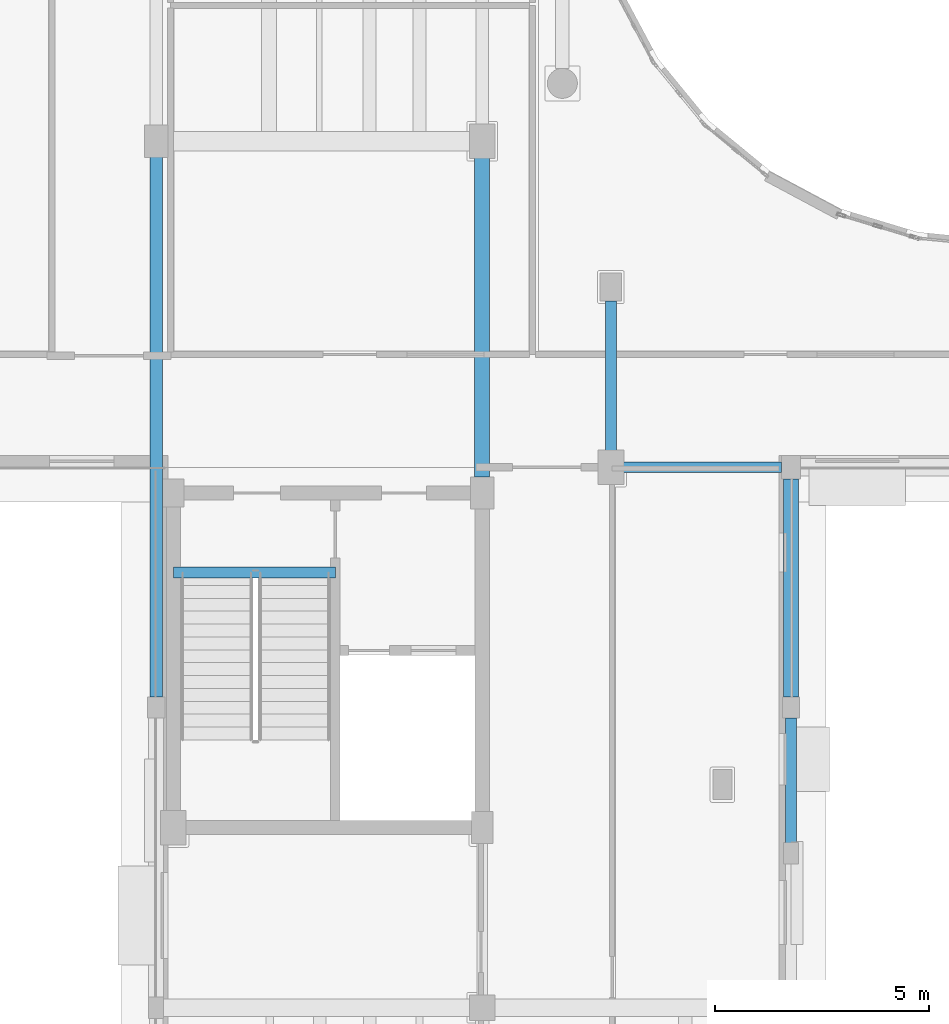
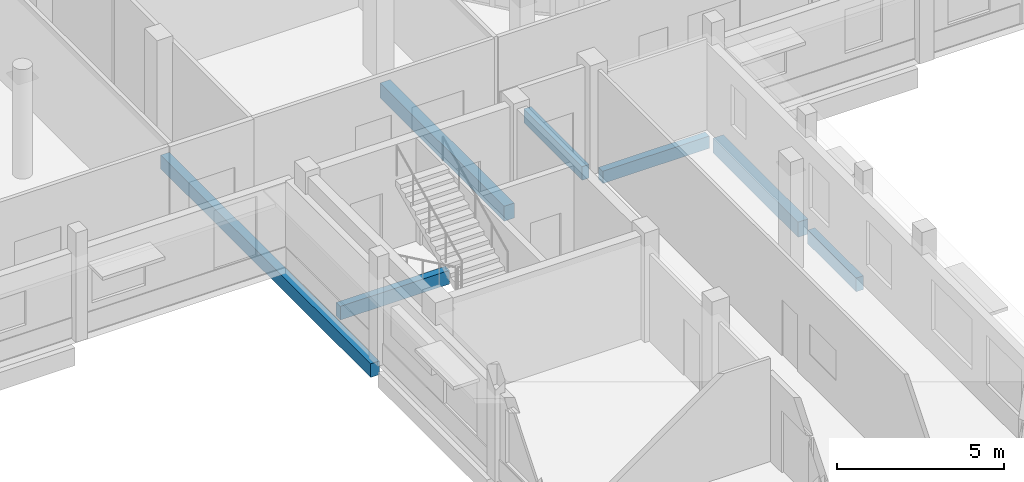
# One storey, part 29 of 105: 7 beams.
"""IFC4 building model written with IfcOpenShell, lengths in metres."""

import ifcopenshell
import ifcopenshell.guid

model = None  # the IFC model being written
_history = None  # IfcOwnerHistory: only IFC2X3 demands one
_inside = {}  # id of a spatial element -> (the spatial element, [elements in it])
_under = {}  # id of a project, library or spatial element -> (it, [spatial elements below it])
_declared = {}  # id of a project -> (the project, [libraries it declares])
_typed = {}  # id of a type object -> (the type object, [elements of that type])
_made_of = {}  # id of a material, layer set ... -> (it, [elements and type objects made of it])


def new_model(schema):
    """Start an empty IFC model of exactly this schema.

    Asked for "IFC4X3", IfcOpenShell would pick the latest addendum, in which some entities
    have other attributes; the version numbers below select the first issue.
    IFC2X3 requires an IfcOwnerHistory on every rooted entity: one is made here for all.
    """
    global model, _history
    if schema == "IFC4X3":
        model = ifcopenshell.file(schema_version=(4, 3, 0, 0))
    else:
        model = ifcopenshell.file(schema=schema)
    _inside.clear()
    _under.clear()
    _declared.clear()
    _typed.clear()
    _made_of.clear()
    _history = None
    if model.schema == "IFC2X3":
        org = make("IfcOrganization", Name="unknown")
        user = make(
            "IfcPersonAndOrganization",
            ThePerson=make("IfcPerson", FamilyName="unknown"),
            TheOrganization=org,
        )
        app = make(
            "IfcApplication",
            ApplicationDeveloper=org,
            Version="unknown",
            ApplicationFullName="unknown",
            ApplicationIdentifier="unknown",
        )
        _history = make(
            "IfcOwnerHistory",
            OwningUser=user,
            OwningApplication=app,
            ChangeAction="ADDED",
            CreationDate=0,
        )
    return model


def make(cls, **values):
    """One entity of the class cls with the attributes given. An attribute that is None is left unset."""
    return model.create_entity(
        cls, **{name: value for name, value in values.items() if value is not None}
    )


def rooted(cls, **values):
    """An entity with a GlobalId (a new one), such as an element, a storey or a relation."""
    return make(cls, GlobalId=ifcopenshell.guid.new(), OwnerHistory=_history, **values)


def si_unit(unit_type, name, prefix=None):
    """IfcSIUnit, for example si_unit("LENGTHUNIT", "METRE", prefix="MILLI")."""
    return make("IfcSIUnit", UnitType=unit_type, Prefix=prefix, Name=name)


def assignment(units):
    """IfcUnitAssignment: the units of a project."""
    return None if units is None else make("IfcUnitAssignment", Units=units)


def point(xyz):
    """IfcCartesianPoint."""
    return None if xyz is None else make("IfcCartesianPoint", Coordinates=xyz)


def direction(xyz):
    """IfcDirection."""
    return None if xyz is None else make("IfcDirection", DirectionRatios=xyz)


def frame(location, z_axis=None, x_axis=None):
    """IfcAxis2Placement3D, a coordinate frame: its origin and axes. An axis left out is left unset."""
    return make(
        "IfcAxis2Placement3D",
        Location=point(location),
        Axis=direction(z_axis),
        RefDirection=direction(x_axis),
    )


def frame_2d(location, x_axis=None):
    """IfcAxis2Placement2D, a coordinate frame in the plane: its origin and x axis."""
    return make(
        "IfcAxis2Placement2D", Location=point(location), RefDirection=direction(x_axis)
    )


def origin():
    """The frame at (0, 0, 0) with its axes left unset."""
    return frame((0.0, 0.0, 0.0))


def origin_2d():
    """The frame at (0, 0) in the plane with its x axis left unset."""
    return frame_2d((0.0, 0.0))


def place(relative_to, where):
    """IfcLocalPlacement: puts the frame where relative to a parent placement (None: the world)."""
    return make(
        "IfcLocalPlacement", PlacementRelTo=relative_to, RelativePlacement=where
    )


def context(
    kind, dimensions, precision=None, world=None, true_north=None, identifier=None
):
    """IfcGeometricRepresentationContext, for example the 3D "Model" context."""
    return make(
        "IfcGeometricRepresentationContext",
        ContextIdentifier=identifier,
        ContextType=kind,
        CoordinateSpaceDimension=dimensions,
        Precision=precision,
        WorldCoordinateSystem=world,
        TrueNorth=true_north,
    )


def subcontext(parent, identifier, kind, view, scale=None):
    """IfcGeometricRepresentationSubContext, for example "Body" below "Model"."""
    return make(
        "IfcGeometricRepresentationSubContext",
        ContextIdentifier=identifier,
        ContextType=kind,
        ParentContext=parent,
        TargetScale=scale,
        TargetView=view,
    )


def project(units=None, contexts=None):
    """IfcProject with its units and contexts."""
    return rooted(
        "IfcProject",
        Name="project",
        RepresentationContexts=contexts,
        UnitsInContext=assignment(units),
    )


def spatial(cls, under=None, at=None, **own):
    """A site, building, storey or space (cls), placed at a placement, below another one or the project."""
    s = rooted(cls, ObjectPlacement=at, **own)
    if under is not None:
        _under.setdefault(under.id(), (under, []))[1].append(s)
    return s


def profile(cls, at=None, kind="AREA", **sizes):
    """A parametric profile (cls). Its sizes go by their IFC names, for example OverallWidth=200.0."""
    return make(cls, ProfileType=kind, Position=at, **sizes)


def rectangle(**sizes):
    """IfcRectangleProfileDef."""
    return profile("IfcRectangleProfileDef", **sizes)


def extrude(swept, where, along, depth):
    """IfcExtrudedAreaSolid: the profile swept, set in the frame where, extruded along a direction by depth."""
    return make(
        "IfcExtrudedAreaSolid",
        SweptArea=swept,
        Position=where,
        ExtrudedDirection=direction(along),
        Depth=depth,
    )


def shape(context_of_items, identifier, shape_type, items):
    """IfcShapeRepresentation: the items that make up one representation, for example the "Body"."""
    return make(
        "IfcShapeRepresentation",
        ContextOfItems=context_of_items,
        RepresentationIdentifier=identifier,
        RepresentationType=shape_type,
        Items=items,
    )


def material(Name=None, Category=None):
    """IfcMaterial."""
    return make("IfcMaterial", Name=Name, Category=Category)


def material_profile(
    of_material, cross_section, Name=None, Category=None, Priority=None
):
    """IfcMaterialProfile: a cross section and its material."""
    return make(
        "IfcMaterialProfile",
        Name=Name,
        Material=of_material,
        Profile=cross_section,
        Priority=Priority,
        Category=Category,
    )


def profile_set(profiles, Name=None, composite=None):
    """IfcMaterialProfileSet."""
    return make(
        "IfcMaterialProfileSet",
        Name=Name,
        MaterialProfiles=profiles,
        CompositeProfile=composite,
    )


def made_of(thing, what):
    """Note that an element or type object is made of a material, layer set ...; save() writes the relation."""
    if what is not None:
        _made_of.setdefault(what.id(), (what, []))[1].append(thing)
    return thing


def type_object(cls, material=None, **own):
    """A type object (cls), such as IfcWallType, which elements share."""
    return made_of(rooted(cls, **own), material)


def element(
    cls,
    number,
    at=None,
    inside=None,
    cuts=None,
    type_object=None,
    material=None,
    context=None,
    identifier="Body",
    shape_type=None,
    held_by="IfcProductDefinitionShape",
    body=None,
    shapes=None,
    **own,
):
    """One element of the class cls, such as IfcWall. Its Tag is "e" and its number.

    at: its placement. inside: the storey or other place that contains it. cuts: it is an
    opening in that element (IfcRelVoidsElement). A single representation is given by context,
    identifier, shape_type and body (its items); several are given by shapes. held_by: the class
    of the entity that holds the representations. save() writes the other relations.
    """
    e = rooted(cls, Tag="e%d" % number, ObjectPlacement=at, **own)
    if body is not None:
        shapes = [shape(context, identifier, shape_type, body)]
    if shapes is not None:
        e.Representation = make(held_by, Representations=shapes)
    if inside is not None:
        _inside.setdefault(inside.id(), (inside, []))[1].append(e)
    if cuts is not None:
        rooted(
            "IfcRelVoidsElement", RelatingBuildingElement=cuts, RelatedOpeningElement=e
        )
    if type_object is not None:
        _typed.setdefault(type_object.id(), (type_object, []))[1].append(e)
    return made_of(e, material)


def aggregate(whole, parts):
    """IfcRelAggregates: a whole, such as a stair, and the parts it consists of."""
    return rooted("IfcRelAggregates", RelatingObject=whole, RelatedObjects=parts)


def save(model, path):
    """Write the relations noted so far, then the file.

    IfcRelAggregates (storeys below a building ...), IfcRelContainedInSpatialStructure (elements
    in a storey), IfcRelDefinesByType, IfcRelAssociatesMaterial and IfcRelDeclares: one each for
    every whole, place, type object, material and project.
    """
    for whole, parts in _under.values():
        aggregate(whole, parts)
    for where, things in _inside.values():
        rooted(
            "IfcRelContainedInSpatialStructure",
            RelatedElements=things,
            RelatingStructure=where,
        )
    for kind, things in _typed.values():
        rooted("IfcRelDefinesByType", RelatedObjects=things, RelatingType=kind)
    for what, things in _made_of.values():
        rooted("IfcRelAssociatesMaterial", RelatedObjects=things, RelatingMaterial=what)
    for by, libraries in _declared.values():
        rooted("IfcRelDeclares", RelatingContext=by, RelatedDefinitions=libraries)
    model.write(path)


model = new_model("IFC4")

# Units and contexts
model_context = context("Model", 3, precision=1e-05, world=origin(), true_north=direction((0.0, 1.0)))
body_context = subcontext(model_context, "Body", "Model", "MODEL_VIEW")
ifc_project = project(units=[si_unit("LENGTHUNIT", "METRE"), si_unit("AREAUNIT", "SQUARE_METRE"), si_unit("VOLUMEUNIT", "CUBIC_METRE"), si_unit("PLANEANGLEUNIT", "RADIAN"), si_unit("MASSUNIT", "GRAM", prefix="KILO")], contexts=[model_context])

# Site, building, storey
site_placement = place(None, origin())
site = spatial("IfcSite", under=ifc_project, at=site_placement, CompositionType="ELEMENT")
building_placement = place(site_placement, origin())
building = spatial("IfcBuilding", under=site, at=building_placement, Name="Kelanivale Promenade Academy", CompositionType="ELEMENT")
storey_placement = place(building_placement, frame((0.0, 0.0, 4.199951171875)))
storey = spatial("IfcBuildingStorey", under=building, at=storey_placement, Name="L01", CompositionType="ELEMENT", Elevation=4.199951171875)

# Beams
ifc_material = material(Name="Concrete C35/45", Category="concrete")
ifc_material_profile_1 = material_profile(ifc_material, rectangle(XDim=0.300048828125, YDim=0.5, at=origin_2d()), Name="RC-BM 300x500")
ifc_profile_set_1 = profile_set([ifc_material_profile_1], Name="Concrete C35/45")
beam_type_1 = type_object("IfcBeamType", Name="JS-01 RC-BM 300x500", PredefinedType="JOIST", material=ifc_profile_set_1)
beam_1_placement = place(storey_placement, frame((79.199951171875, 36.64501953125, -0.469970703125), z_axis=(0.0, 1.0, 0.0), x_axis=(-1.0, 0.0, 0.0)))
element("IfcBeam", 1, at=beam_1_placement, inside=storey, type_object=beam_type_1, Name="L01 beam JS-01", PredefinedType="JOIST", context=body_context, shape_type="SweptSolid", body=[
    extrude(rectangle(XDim=0.300048828125, YDim=0.5, at=origin_2d()), origin(), (0.0, 0.0, 1.0), 12.5849609375),
])
ifc_material_profile_2 = material_profile(ifc_material, rectangle(XDim=0.35009765625, YDim=0.550048828125, at=origin_2d()), Name="RC-BM 350x550")
ifc_profile_set_2 = profile_set([ifc_material_profile_2], Name="Concrete C35/45")
beam_type_2 = type_object("IfcBeamType", Name="JS-06 RC-BM 350x550", PredefinedType="JOIST", material=ifc_profile_set_2)
beam_2_placement = place(storey_placement, frame((86.800048828125, 41.77001953125, -0.494873046875), z_axis=(0.0, 1.0, 0.0), x_axis=(-1.0, 0.0, 0.0)))
element("IfcBeam", 2, at=beam_2_placement, inside=storey, type_object=beam_type_2, Name="L01 beam JS-06", PredefinedType="JOIST", context=body_context, shape_type="SweptSolid", body=[
    extrude(rectangle(XDim=0.35009765625, YDim=0.550048828125, at=origin_2d()), origin(), (0.0, 0.0, 1.0), 7.43505859375),
])
beam_3_placement = place(storey_placement, frame((94.0, 36.64501953125, -0.494873046875), z_axis=(0.0, 1.0, 0.0), x_axis=(-1.0, 0.0, 0.0)))
element("IfcBeam", 3, at=beam_3_placement, inside=storey, type_object=beam_type_2, Name="L01 beam JS-06", PredefinedType="JOIST", context=body_context, shape_type="SweptSolid", body=[
    extrude(rectangle(XDim=0.35009765625, YDim=0.550048828125, at=origin_2d()), origin(), (0.0, 0.0, 1.0), 5.0849609375),
])
ifc_material_profile_3 = material_profile(ifc_material, rectangle(XDim=0.25, YDim=0.449951171875, at=origin_2d()), Name="RC-BM 250x450")
ifc_profile_set_3 = profile_set([ifc_material_profile_3], Name="Concrete C35/45")
beam_type_3 = type_object("IfcBeamType", Name="LN-01 RC-BM 250x450", PredefinedType="LINTEL", material=ifc_profile_set_3)
beam_4_placement = place(storey_placement, frame((90.094970703125, 42.0, -0.445068359375), z_axis=(1.0, 0.0, 0.0), x_axis=(0.0, 1.0, 0.0)))
element("IfcBeam", 4, at=beam_4_placement, inside=storey, type_object=beam_type_3, Name="L01 girder LN-01", PredefinedType="LINTEL", context=body_context, shape_type="SweptSolid", body=[
    extrude(rectangle(XDim=0.25, YDim=0.449951171875, at=origin_2d()), origin(), (0.0, 0.0, 1.0), 3.68505859375),
])
ifc_material_profile_4 = material_profile(ifc_material, rectangle(XDim=0.25, YDim=0.5, at=origin_2d()), Name="RC-BM 250x500")
ifc_profile_set_4 = profile_set([ifc_material_profile_4], Name="Concrete C35/45")
beam_type_4 = type_object("IfcBeamType", Name="LN-02 RC-BM 250x500", PredefinedType="LINTEL", material=ifc_profile_set_4)
beam_5_placement = place(storey_placement, frame((89.800048828125, 42.39501953125, -0.469970703125), z_axis=(0.0, 1.0, 0.0), x_axis=(-1.0, 0.0, 0.0)))
element("IfcBeam", 5, at=beam_5_placement, inside=storey, type_object=beam_type_4, Name="L01 beam LN-02", PredefinedType="LINTEL", context=body_context, shape_type="SweptSolid", body=[
    extrude(rectangle(XDim=0.25, YDim=0.5, at=origin_2d()), origin(), (0.0, 0.0, 1.0), 3.48486328125),
])
beam_6_placement = place(storey_placement, frame((94.0, 33.2451171875, -0.469970703125), z_axis=(0.0, 1.0, 0.0), x_axis=(-1.0, 0.0, 0.0)))
element("IfcBeam", 6, at=beam_6_placement, inside=storey, type_object=beam_type_4, Name="L01 beam LN-02", PredefinedType="LINTEL", context=body_context, shape_type="SweptSolid", body=[
    extrude(rectangle(XDim=0.25, YDim=0.5, at=origin_2d()), origin(), (0.0, 0.0, 1.0), 2.909912109375),
])
beam_7_placement = place(storey_placement, frame((79.60009765625, 39.544921875, -0.25), z_axis=(1.0, 0.0, 0.0), x_axis=(0.0, 1.0, 0.0)))
element("IfcBeam", 7, at=beam_7_placement, inside=storey, type_object=beam_type_4, Name="CORE-1 stair arrival trimmer beam L01", PredefinedType="LINTEL", context=body_context, shape_type="SweptSolid", body=[
    extrude(rectangle(XDim=0.25, YDim=0.5, at=origin_2d()), origin(), (0.0, 0.0, 1.0), 3.77490234375),
])

save(model, "model.ifc")
